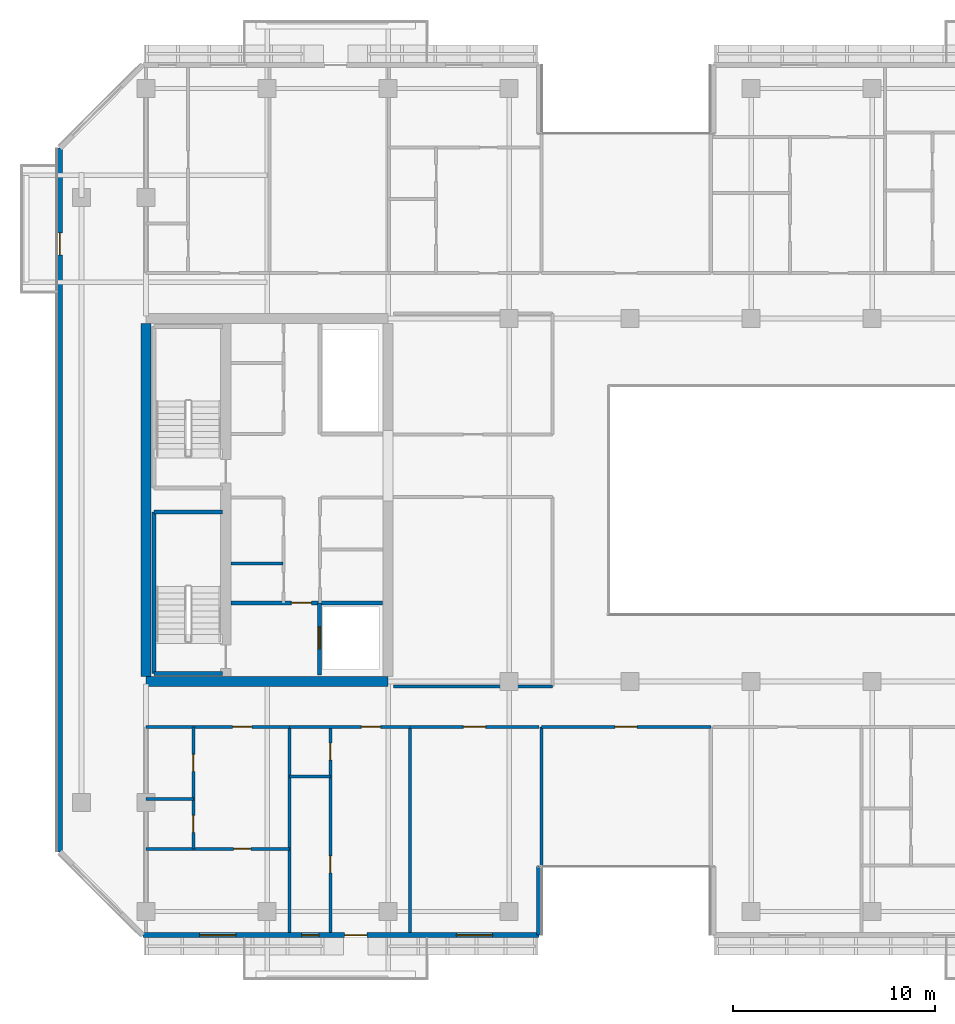
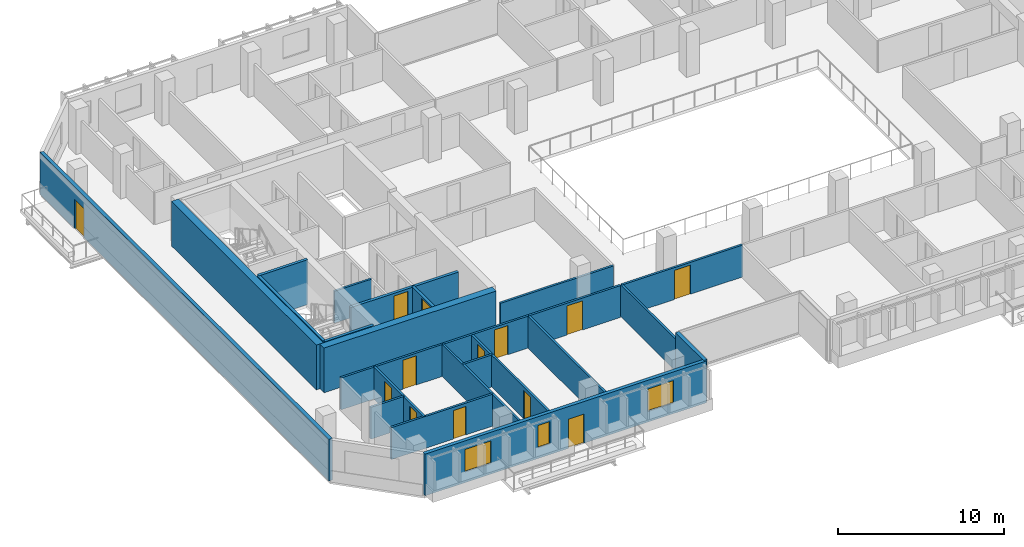
# One storey, part 9 of 21: 24 walls, 13 doors, 3 windows, 16 openings.
"""IFC4 building model written with IfcOpenShell, lengths in metres."""

from ifc_helpers import new_model, si_unit, direction, frame, frame_2d, origin, place, context, subcontext, project, spatial, rectangle, extrude, material, layer, layer_set, type_object, element, fill, save


model = new_model("IFC4")

# Units and contexts
model_context = context("Model", 3, precision=1e-05, world=origin(), true_north=direction((0.0, 1.0)))
body_context = subcontext(model_context, "Body", "Model", "MODEL_VIEW")
ifc_project = project(units=[si_unit("LENGTHUNIT", "METRE"), si_unit("AREAUNIT", "SQUARE_METRE"), si_unit("VOLUMEUNIT", "CUBIC_METRE"), si_unit("PLANEANGLEUNIT", "RADIAN"), si_unit("MASSUNIT", "GRAM", prefix="KILO")], contexts=[model_context])

# Site, building, storey
site_placement = place(None, origin())
site = spatial("IfcSite", under=ifc_project, at=site_placement, CompositionType="ELEMENT")
building_placement = place(site_placement, origin())
building = spatial("IfcBuilding", under=site, at=building_placement, Name="Tanjung Sevakor Pilgrim Tower", CompositionType="ELEMENT")
storey_placement = place(building_placement, frame((0.0, 0.0, 145.199951171875)))
storey = spatial("IfcBuildingStorey", under=building, at=storey_placement, Name="L40", CompositionType="ELEMENT", Elevation=145.199951171875)

# Walls
ifc_material_1 = material(Name="Concrete C60/75", Category="concrete")
ifc_layer_1 = layer(ifc_material_1, 0.5)
ifc_layer_set_1 = layer_set([ifc_layer_1], Name="WALL-CW-500")
wall_type_1 = type_object("IfcWallType", Name="WALL-CW-500", PredefinedType="SHEAR", material=ifc_layer_set_1)
wall_1_placement = place(storey_placement, frame((24.0, 24.60009765625, 0.0), z_axis=(0.0, 0.0, 1.0), x_axis=(1.0, 0.0, 0.0)))
element("IfcWall", 1, at=wall_1_placement, inside=storey, type_object=wall_type_1, Name="L40 W Core South Shear Wall", PredefinedType="SHEAR", context=body_context, shape_type="SweptSolid", body=[
    extrude(rectangle(XDim=12.0, YDim=0.5, at=frame_2d((6.0, 0.0))), origin(), (0.0, 0.0, 1.0), 3.300048828125),
])
wall_2_placement = place(storey_placement, frame((24.0, 24.85009765625, 0.0), z_axis=(0.0, 0.0, 1.0), x_axis=(0.0, 1.0, 0.0)))
element("IfcWall", 2, at=wall_2_placement, inside=storey, type_object=wall_type_1, Name="L40 W Core Outer Shear Wall", PredefinedType="SHEAR", context=body_context, shape_type="SweptSolid", body=[
    extrude(rectangle(XDim=17.5, YDim=0.5, at=frame_2d((8.75, 0.0))), origin(), (0.0, 0.0, 1.0), 3.300048828125),
])
ifc_material_2 = material(Name="Concrete C40/50", Category="concrete")
ifc_layer_2 = layer(ifc_material_2, 0.14990234375)
ifc_layer_set_2 = layer_set([ifc_layer_2], Name="WT-COMP-150")
wall_type_2 = type_object("IfcWallType", Name="WT-COMP-150", PredefinedType="SOLIDWALL", material=ifc_layer_set_2)
wall_3_placement = place(storey_placement, frame((28.219970703125, 30.449951171875, 0.0), z_axis=(0.0, 0.0, 1.0), x_axis=(1.0, 0.0, 0.0)))
element("IfcWall", 3, at=wall_3_placement, inside=storey, type_object=wall_type_2, Name="L40 Partition IW-L40-003", PredefinedType="SOLIDWALL", context=body_context, shape_type="SweptSolid", body=[
    extrude(rectangle(XDim=2.580078125, YDim=0.14990234375, at=frame_2d((1.2900390625, 0.0))), origin(), (0.0, 0.0, 1.0), 2.35009765625),
])
wall_4_placement = place(storey_placement, frame((36.27001953125, 24.35009765625, 0.0), z_axis=(0.0, 0.0, 1.0), x_axis=(1.0, 0.0, 0.0)))
element("IfcWall", 4, at=wall_4_placement, inside=storey, type_object=wall_type_2, Name="L40 Partition IW-L40-027", PredefinedType="SOLIDWALL", context=body_context, shape_type="SweptSolid", body=[
    extrude(rectangle(XDim=7.8798828125, YDim=0.14990234375, at=frame_2d((3.93994140625, 0.0))), origin(), (0.0, 0.0, 1.0), 2.35009765625),
])

# Wall, opening, door
wall_5_placement = place(storey_placement, frame((43.60009765625, 22.35009765625, 0.0), z_axis=(0.0, 0.0, 1.0), x_axis=(1.0, 0.0, 0.0)))
wall_5 = element("IfcWall", 5, at=wall_5_placement, inside=storey, type_object=wall_type_2, Name="L40 Partition IW-L40-039", PredefinedType="SOLIDWALL", context=body_context, shape_type="SweptSolid", body=[
    extrude(rectangle(XDim=8.39990234375, YDim=0.14990234375, at=frame_2d((4.199951171875, 0.0))), origin(), (0.0, 0.0, 1.0), 2.35009765625),
])
opening_1_placement = place(wall_5_placement, frame((3.64990234375, 0.0, 0.0)))
opening_1 = element("IfcOpeningElement", 6, at=opening_1_placement, cuts=wall_5, Name="Opening ID-RM2", PredefinedType="OPENING", context=body_context, shape_type="SweptSolid", body=[
    extrude(rectangle(XDim=1.10009765625, YDim=2.14990234375, at=frame_2d((0.550048828125, 1.074951171875))), frame((0.0, 0.0849609375, 0.0), z_axis=(0.0, -1.0, 0.0), x_axis=(1.0, 0.0, 0.0)), (0.0, 0.0, 1.0), 0.169921875),
])
ifc_material_3 = material(Name="Hardwood Timber", Category="wood")
door_type_1 = type_object("IfcDoorType", Name="DT-INT-1100", OperationType="NOTDEFINED", PredefinedType="DOOR", material=ifc_material_3)
door_1_placement = place(opening_1_placement, origin())
door_1 = element("IfcDoor", 7, at=door_1_placement, inside=storey, type_object=door_type_1, Name="L40 South Cleft Communal Lounge Door", OperationType="SINGLE_SWING_LEFT", OverallHeight=2.14990234375, OverallWidth=1.10009765625, PredefinedType="DOOR", context=body_context, shape_type="SweptSolid", body=[
    extrude(rectangle(XDim=1.10009765625, YDim=2.14990234375, at=frame_2d((0.550048828125, 1.074951171875))), frame((0.0, 0.02490234375, 0.0), z_axis=(0.0, -1.0, 0.0), x_axis=(1.0, 0.0, 0.0)), (0.0, 0.0, 1.0), 0.050048828125),
])
fill(opening_1, door_1)

# Walls
for number, where, z_axis, x_axis, name in (
    (8, (43.60009765625, 12.14990234375, 0.0), (0.0, 0.0, 1.0), (0.0, 1.0, 0.0), "L40 Partition IW-L40-040"),
    (9, (31.11181640625, 12.14990234375, 0.0), (0.0, 0.0, 1.0), (0.0, 1.0, 0.0), "L40 Partition IW-L40-046"),
):
    element("IfcWall", number, at=place(storey_placement, frame(where, z_axis=z_axis, x_axis=x_axis)), inside=storey, type_object=wall_type_2, Name=name, PredefinedType="SOLIDWALL", context=body_context, shape_type="SweptSolid", body=[
        extrude(rectangle(XDim=10.2001953125, YDim=0.14990234375, at=frame_2d((5.10009765625, 0.0))), origin(), (0.0, 0.0, 1.0), 2.35009765625),
    ])

# Wall, opening, door
wall_6_placement = place(storey_placement, frame((24.0, 22.35009765625, 0.0), z_axis=(0.0, 0.0, 1.0), x_axis=(1.0, 0.0, 0.0)))
wall_6 = element("IfcWall", 10, at=wall_6_placement, inside=storey, type_object=wall_type_2, Name="L40 Partition IW-L40-050", PredefinedType="SOLIDWALL", context=body_context, shape_type="SweptSolid", body=[
    extrude(rectangle(XDim=7.11181640625, YDim=0.14990234375, at=frame_2d((3.555908203125, 0.0))), origin(), (0.0, 0.0, 1.0), 2.35009765625),
])
opening_2_placement = place(wall_6_placement, frame((4.2958984375, 0.0, 0.0)))
opening_2 = element("IfcOpeningElement", 11, at=opening_2_placement, cuts=wall_6, Name="Opening ID-FD2", PredefinedType="OPENING", context=body_context, shape_type="SweptSolid", body=[
    extrude(rectangle(XDim=0.949951171875, YDim=2.14990234375, at=frame_2d((0.47509765625, 1.074951171875))), frame((0.0, 0.0849609375, 0.0), z_axis=(0.0, -1.0, 0.0), x_axis=(1.0, 0.0, 0.0)), (0.0, 0.0, 1.0), 0.169921875),
])
ifc_material_4 = material(Name="Fire-Rated Timber", Category="wood")
door_type_2 = type_object("IfcDoorType", Name="DT-FIRE-950", OperationType="NOTDEFINED", PredefinedType="DOOR", material=ifc_material_4)
door_2_placement = place(opening_2_placement, origin())
door_2 = element("IfcDoor", 12, at=door_2_placement, inside=storey, type_object=door_type_2, Name="Residence Entrance", OperationType="SINGLE_SWING_RIGHT", OverallHeight=2.14990234375, OverallWidth=0.949951171875, PredefinedType="DOOR", context=body_context, shape_type="SweptSolid", body=[
    extrude(rectangle(XDim=0.949951171875, YDim=2.14990234375, at=frame_2d((0.47509765625, 1.074951171875))), frame((0.0, 0.02490234375, 0.0), z_axis=(0.0, -1.0, 0.0), x_axis=(1.0, 0.0, 0.0)), (0.0, 0.0, 1.0), 0.050048828125),
])
fill(opening_2, door_2)

# Wall
wall_7_placement = place(storey_placement, frame((37.089599609375, 12.14990234375, 0.0), z_axis=(0.0, 0.0, 1.0), x_axis=(0.0, 1.0, 0.0)))
element("IfcWall", 13, at=wall_7_placement, inside=storey, type_object=wall_type_2, Name="L40 Partition IW-L40-051", PredefinedType="SOLIDWALL", context=body_context, shape_type="SweptSolid", body=[
    extrude(rectangle(XDim=10.2001953125, YDim=0.14990234375, at=frame_2d((5.10009765625, 0.0))), origin(), (0.0, 0.0, 1.0), 2.35009765625),
])

# Wall, opening, door
wall_8_placement = place(storey_placement, frame((31.11181640625, 22.35009765625, 0.0), z_axis=(0.0, 0.0, 1.0), x_axis=(1.0, 0.0, 0.0)))
wall_8 = element("IfcWall", 14, at=wall_8_placement, inside=storey, type_object=wall_type_2, Name="L40 Partition IW-L40-054", PredefinedType="SOLIDWALL", context=body_context, shape_type="SweptSolid", body=[
    extrude(rectangle(XDim=5.977783203125, YDim=0.14990234375, at=frame_2d((2.98876953125, 0.0))), origin(), (0.0, 0.0, 1.0), 2.35009765625),
])
opening_3_placement = place(wall_8_placement, frame((3.5703125, 0.0, 0.0)))
opening_3 = element("IfcOpeningElement", 15, at=opening_3_placement, cuts=wall_8, Name="Opening ID-FD2", PredefinedType="OPENING", context=body_context, shape_type="SweptSolid", body=[
    extrude(rectangle(XDim=0.949951171875, YDim=2.14990234375, at=frame_2d((0.47509765625, 1.074951171875))), frame((0.0, 0.0849609375, 0.0), z_axis=(0.0, -1.0, 0.0), x_axis=(1.0, 0.0, 0.0)), (0.0, 0.0, 1.0), 0.169921875),
])
door_3_placement = place(opening_3_placement, origin())
door_3 = element("IfcDoor", 16, at=door_3_placement, inside=storey, type_object=door_type_2, Name="Hotel Guestroom Entrance", OperationType="SINGLE_SWING_LEFT", OverallHeight=2.14990234375, OverallWidth=0.949951171875, PredefinedType="DOOR", context=body_context, shape_type="SweptSolid", body=[
    extrude(rectangle(XDim=0.949951171875, YDim=2.14990234375, at=frame_2d((0.47509765625, 1.074951171875))), frame((0.0, 0.02490234375, 0.0), z_axis=(0.0, -1.0, 0.0), x_axis=(1.0, 0.0, 0.0)), (0.0, 0.0, 1.0), 0.050048828125),
])
fill(opening_3, door_3)

wall_9_placement = place(storey_placement, frame((37.089599609375, 22.35009765625, 0.0), z_axis=(0.0, 0.0, 1.0), x_axis=(1.0, 0.0, 0.0)))
wall_9 = element("IfcWall", 17, at=wall_9_placement, inside=storey, type_object=wall_type_2, Name="L40 Partition IW-L40-055", PredefinedType="SOLIDWALL", context=body_context, shape_type="SweptSolid", body=[
    extrude(rectangle(XDim=6.390380859375, YDim=0.14990234375, at=frame_2d((3.1953125, 0.0))), origin(), (0.0, 0.0, 1.0), 2.35009765625),
])
opening_4_placement = place(wall_9_placement, frame((2.64501953125, 0.0, 0.0)))
opening_4 = element("IfcOpeningElement", 18, at=opening_4_placement, cuts=wall_9, Name="Opening ID-FD0", PredefinedType="OPENING", context=body_context, shape_type="SweptSolid", body=[
    extrude(rectangle(XDim=1.10009765625, YDim=2.14990234375, at=frame_2d((0.550048828125, 1.074951171875))), frame((0.0, 0.0849609375, 0.0), z_axis=(0.0, -1.0, 0.0), x_axis=(1.0, 0.0, 0.0)), (0.0, 0.0, 1.0), 0.169921875),
])
ifc_material_5 = material(Name="Fire-Rated Steel S355J2", Category="steel")
door_type_3 = type_object("IfcDoorType", Name="DT-FIRE-1100", OperationType="NOTDEFINED", PredefinedType="DOOR", material=ifc_material_5)
door_4_placement = place(opening_4_placement, origin())
door_4 = element("IfcDoor", 19, at=door_4_placement, inside=storey, type_object=door_type_3, Name="Communal Lounge Door", OperationType="SINGLE_SWING_RIGHT", OverallHeight=2.14990234375, OverallWidth=1.10009765625, PredefinedType="DOOR", context=body_context, shape_type="SweptSolid", body=[
    extrude(rectangle(XDim=1.10009765625, YDim=2.14990234375, at=frame_2d((0.550048828125, 1.074951171875))), frame((0.0, 0.02490234375, 0.0), z_axis=(0.0, -1.0, 0.0), x_axis=(1.0, 0.0, 0.0)), (0.0, 0.0, 1.0), 0.050048828125),
])
fill(opening_4, door_4)

# Wall, openings, door, windows
ifc_material_6 = material(Name="Precast concrete C45/55", Category="concrete")
ifc_layer_3 = layer(ifc_material_6, 0.25)
ifc_layer_set_3 = layer_set([ifc_layer_3], Name="WT-EW-STN3")
wall_type_3 = type_object("IfcWallType", Name="WT-EW-STN3", PredefinedType="SOLIDWALL", material=ifc_layer_set_3)
wall_10_placement = place(storey_placement, frame((23.851806640625, 12.02490234375, 0.0), z_axis=(0.0, 0.0, 1.0), x_axis=(1.0, 0.0, 0.0)))
wall_10 = element("IfcWall", 20, at=wall_10_placement, inside=storey, type_object=wall_type_3, Name="L40 MAIN Exterior Wall 1", PredefinedType="SOLIDWALL", context=body_context, shape_type="SweptSolid", body=[
    extrude(rectangle(XDim=19.623291015625, YDim=0.25, at=frame_2d((9.8115234375, 0.0))), origin(), (0.0, 0.0, 1.0), 3.080078125),
])
opening_5_placement = place(wall_10_placement, frame((9.998291015625, 0.0, 0.0)))
opening_5 = element("IfcOpeningElement", 21, at=opening_5_placement, cuts=wall_10, Name="Opening ED-BAL-1100", PredefinedType="OPENING", context=body_context, shape_type="SweptSolid", body=[
    extrude(rectangle(XDim=1.10009765625, YDim=2.14990234375, at=frame_2d((0.550048828125, 1.074951171875))), frame((0.0, 0.135009765625, 0.0), z_axis=(0.0, -1.0, 0.0), x_axis=(1.0, 0.0, 0.0)), (0.0, 0.0, 1.0), 0.27001953125),
])
opening_6_placement = place(wall_10_placement, frame((2.803955078125, 0.0, 0.780029296875)))
opening_6 = element("IfcOpeningElement", 22, at=opening_6_placement, cuts=wall_10, Name="Opening WN-Z3-1660", PredefinedType="OPENING", context=body_context, shape_type="SweptSolid", body=[
    extrude(rectangle(XDim=1.800048828125, YDim=1.659912109375, at=frame_2d((0.89990234375, 0.830078125))), frame((0.0, 0.135009765625, 0.0), z_axis=(0.0, -1.0, 0.0), x_axis=(1.0, 0.0, 0.0)), (0.0, 0.0, 1.0), 0.27001953125),
])
opening_7_placement = place(wall_10_placement, frame((7.861083984375, 0.0, 0.780029296875)))
opening_7 = element("IfcOpeningElement", 23, at=opening_7_placement, cuts=wall_10, Name="Opening WN-SLM", PredefinedType="OPENING", context=body_context, shape_type="SweptSolid", body=[
    extrude(rectangle(XDim=0.85009765625, YDim=1.64990234375, at=frame_2d((0.425048828125, 0.824951171875))), frame((0.0, 0.135009765625, 0.0), z_axis=(0.0, -1.0, 0.0), x_axis=(1.0, 0.0, 0.0)), (0.0, 0.0, 1.0), 0.27001953125),
])
opening_8_placement = place(wall_10_placement, frame((15.532958984375, 0.0, 0.780029296875)))
opening_8 = element("IfcOpeningElement", 24, at=opening_8_placement, cuts=wall_10, Name="Opening WN-Z3-1660", PredefinedType="OPENING", context=body_context, shape_type="SweptSolid", body=[
    extrude(rectangle(XDim=1.800048828125, YDim=1.659912109375, at=frame_2d((0.89990234375, 0.830078125))), frame((0.0, 0.135009765625, 0.0), z_axis=(0.0, -1.0, 0.0), x_axis=(1.0, 0.0, 0.0)), (0.0, 0.0, 1.0), 0.27001953125),
])
ifc_material_7 = material(Name="Anodised Aluminium and Laminated Glass", Category="aluminium")
door_type_4 = type_object("IfcDoorType", Name="DTYP-ED-BAL-1100", OperationType="NOTDEFINED", PredefinedType="DOOR", material=ifc_material_7)
door_5_placement = place(opening_5_placement, frame((1.10009765625, 0.0, 0.0), z_axis=(0.0, 0.0, 1.0), x_axis=(-1.0, 0.0, 0.0)))
door_5 = element("IfcDoor", 25, at=door_5_placement, inside=storey, type_object=door_type_4, Name="L40 Balcony Door MAIN-S1", OperationType="SINGLE_SWING_RIGHT", OverallHeight=2.14990234375, OverallWidth=1.10009765625, PredefinedType="DOOR", context=body_context, shape_type="SweptSolid", body=[
    extrude(rectangle(XDim=1.10009765625, YDim=2.14990234375, at=frame_2d((0.550048828125, 1.074951171875))), frame((0.0, 0.02490234375, 0.0), z_axis=(0.0, -1.0, 0.0), x_axis=(1.0, 0.0, 0.0)), (0.0, 0.0, 1.0), 0.050048828125),
])
fill(opening_5, door_5)
ifc_material_8 = material(Name="Thermally Broken Aluminium and Low-E Glass", Category="aluminium")
window_type_1 = type_object("IfcWindowType", Name="WTYP-WN-SLM", PartitioningType="SINGLE_PANEL", PredefinedType="WINDOW", material=ifc_material_8)
window_1_placement = place(opening_7_placement, origin())
window_1 = element("IfcWindow", 26, at=window_1_placement, inside=storey, type_object=window_type_1, Name="L40 Facade Window 02", OverallHeight=1.64990234375, OverallWidth=0.85009765625, PartitioningType="SINGLE_PANEL", PredefinedType="WINDOW", context=body_context, shape_type="SweptSolid", body=[
    extrude(rectangle(XDim=0.85009765625, YDim=1.64990234375, at=frame_2d((0.425048828125, 0.824951171875))), frame((0.0, 0.030029296875, 0.0), z_axis=(0.0, -1.0, 0.0), x_axis=(1.0, 0.0, 0.0)), (0.0, 0.0, 1.0), 0.06005859375),
])
fill(opening_7, window_1)
ifc_material_9 = material(Name="Thermally Broken Aluminium and Low-E Glass", Category="aluminium")
window_type_2 = type_object("IfcWindowType", Name="WTYP-WN-Z3-1660", PartitioningType="DOUBLE_PANEL_VERTICAL", PredefinedType="WINDOW", material=ifc_material_9)
window_2_placement = place(opening_6_placement, origin())
window_2 = element("IfcWindow", 27, at=window_2_placement, inside=storey, type_object=window_type_2, Name="L40 Facade Window 01", OverallHeight=1.659912109375, OverallWidth=1.800048828125, PartitioningType="SINGLE_PANEL", PredefinedType="WINDOW", context=body_context, shape_type="SweptSolid", body=[
    extrude(rectangle(XDim=1.800048828125, YDim=1.659912109375, at=frame_2d((0.89990234375, 0.830078125))), frame((0.0, 0.030029296875, 0.0), z_axis=(0.0, -1.0, 0.0), x_axis=(1.0, 0.0, 0.0)), (0.0, 0.0, 1.0), 0.06005859375),
])
fill(opening_6, window_2)
window_3_placement = place(opening_8_placement, origin())
window_3 = element("IfcWindow", 28, at=window_3_placement, inside=storey, type_object=window_type_2, Name="L40 Facade Window 03", OverallHeight=1.659912109375, OverallWidth=1.800048828125, PartitioningType="SINGLE_PANEL", PredefinedType="WINDOW", context=body_context, shape_type="SweptSolid", body=[
    extrude(rectangle(XDim=1.800048828125, YDim=1.659912109375, at=frame_2d((0.89990234375, 0.830078125))), frame((0.0, 0.030029296875, 0.0), z_axis=(0.0, -1.0, 0.0), x_axis=(1.0, 0.0, 0.0)), (0.0, 0.0, 1.0), 0.06005859375),
])
fill(opening_8, window_3)

# Wall
wall_11_placement = place(storey_placement, frame((43.47509765625, 12.02490234375, 0.0), z_axis=(0.0, 0.0, 1.0), x_axis=(0.0, 1.0, 0.0)))
element("IfcWall", 29, at=wall_11_placement, inside=storey, type_object=wall_type_3, Name="L40 MAIN Exterior Wall 2", PredefinedType="SOLIDWALL", context=body_context, shape_type="SweptSolid", body=[
    extrude(rectangle(XDim=3.400146484375, YDim=0.25, at=frame_2d((1.7001953125, 0.0))), origin(), (0.0, 0.0, 1.0), 3.080078125),
])

# Wall, opening, door
wall_12_placement = place(storey_placement, frame((19.72509765625, 51.048095703125, 0.0), z_axis=(0.0, 0.0, 1.0), x_axis=(0.0, -1.0, 0.0)))
wall_12 = element("IfcWall", 30, at=wall_12_placement, inside=storey, type_object=wall_type_3, Name="L40 MAIN Exterior Wall 15", PredefinedType="SOLIDWALL", context=body_context, shape_type="SweptSolid", body=[
    extrude(rectangle(XDim=34.896240234375, YDim=0.25, at=frame_2d((17.4482421875, 0.0))), origin(), (0.0, 0.0, 1.0), 3.080078125),
])
opening_9_placement = place(wall_12_placement, frame((4.1982421875, 0.0, 0.0)))
opening_9 = element("IfcOpeningElement", 31, at=opening_9_placement, cuts=wall_12, Name="Opening ED-BAL-1100", PredefinedType="OPENING", context=body_context, shape_type="SweptSolid", body=[
    extrude(rectangle(XDim=1.10009765625, YDim=2.14990234375, at=frame_2d((0.550048828125, 1.074951171875))), frame((0.0, 0.135009765625, 0.0), z_axis=(0.0, -1.0, 0.0), x_axis=(1.0, 0.0, 0.0)), (0.0, 0.0, 1.0), 0.27001953125),
])
door_6_placement = place(opening_9_placement, frame((1.10009765625, 0.0, 0.0), z_axis=(0.0, 0.0, 1.0), x_axis=(-1.0, 0.0, 0.0)))
door_6 = element("IfcDoor", 32, at=door_6_placement, inside=storey, type_object=door_type_4, Name="L40 West Loggia Door MAIN-W1", OperationType="SINGLE_SWING_LEFT", OverallHeight=2.14990234375, OverallWidth=1.10009765625, PredefinedType="DOOR", context=body_context, shape_type="SweptSolid", body=[
    extrude(rectangle(XDim=1.10009765625, YDim=2.14990234375, at=frame_2d((0.550048828125, 1.074951171875))), frame((0.0, 0.02490234375, 0.0), z_axis=(0.0, -1.0, 0.0), x_axis=(1.0, 0.0, 0.0)), (0.0, 0.0, 1.0), 0.050048828125),
])
fill(opening_9, door_6)

# Walls
ifc_material_10 = material(Name="Concrete C40/50", Category="concrete")
ifc_layer_4 = layer(ifc_material_10, 0.199951171875)
ifc_layer_set_4 = layer_set([ifc_layer_4], Name="WT-FIRE-200")
wall_type_4 = type_object("IfcWallType", Name="WT-FIRE-200", PredefinedType="SOLIDWALL", material=ifc_layer_set_4)
for number, where, z_axis, x_axis, name in (
    (33, (24.39990234375, 25.0, 0.0), (0.0, 0.0, 1.0), (1.0, 0.0, 0.0), "L40 TS-W1 Shaft Wall 1"),
    (34, (27.800048828125, 33.0, 0.0), (0.0, 0.0, 1.0), (-1.0, 0.0, 0.0), "L40 TS-W1 Shaft Wall 2"),
):
    element("IfcWall", number, at=place(storey_placement, frame(where, z_axis=z_axis, x_axis=x_axis)), inside=storey, type_object=wall_type_4, Name=name, PredefinedType="SOLIDWALL", context=body_context, shape_type="SweptSolid", body=[
        extrude(rectangle(XDim=3.400146484375, YDim=0.199951171875, at=frame_2d((1.7001953125, 0.0))), origin(), (0.0, 0.0, 1.0), 3.300048828125),
    ])
wall_13_placement = place(storey_placement, frame((24.39990234375, 33.0, 0.0), z_axis=(0.0, 0.0, 1.0), x_axis=(0.0, -1.0, 0.0)))
element("IfcWall", 35, at=wall_13_placement, inside=storey, type_object=wall_type_4, Name="L40 TS-W1 Shaft Wall 3", PredefinedType="SOLIDWALL", context=body_context, shape_type="SweptSolid", body=[
    extrude(rectangle(XDim=8.0, YDim=0.199951171875, at=frame_2d((4.0, 0.0))), origin(), (0.0, 0.0, 1.0), 3.300048828125),
])

# Wall, opening, door
ifc_material_11 = material(Name="Concrete C40/50", Category="concrete")
ifc_layer_5 = layer(ifc_material_11, 0.199951171875)
ifc_layer_set_5 = layer_set([ifc_layer_5], Name="WT-FPRT-200")
wall_type_5 = type_object("IfcWallType", Name="WT-FPRT-200", PredefinedType="SOLIDWALL", material=ifc_layer_set_5)
wall_14_placement = place(storey_placement, frame((32.60009765625, 24.919921875, 0.0), z_axis=(0.0, 0.0, 1.0), x_axis=(0.0, 1.0, 0.0)))
wall_14 = element("IfcWall", 36, at=wall_14_placement, inside=storey, type_object=wall_type_5, Name="L40 Partition IW-L40-001", PredefinedType="SOLIDWALL", context=body_context, shape_type="SweptSolid", body=[
    extrude(rectangle(XDim=3.580078125, YDim=0.199951171875, at=frame_2d((1.7900390625, 0.0))), origin(), (0.0, 0.0, 1.0), 2.35009765625),
])
opening_10_placement = place(wall_14_placement, frame((1.300048828125, 0.0, 0.0)))
opening_10 = element("IfcOpeningElement", 37, at=opening_10_placement, cuts=wall_14, Name="Opening LD-1100", PredefinedType="OPENING", context=body_context, shape_type="SweptSolid", body=[
    extrude(rectangle(XDim=1.10009765625, YDim=2.199951171875, at=frame_2d((0.550048828125, 1.10009765625))), frame((0.0, 0.10986328125, 0.0), z_axis=(0.0, -1.0, 0.0), x_axis=(1.0, 0.0, 0.0)), (0.0, 0.0, 1.0), 0.219970703125),
])
ifc_material_12 = material(Name="Brushed Stainless Steel S355J2", Category="steel")
door_type_5 = type_object("IfcDoorType", Name="DT-LIFT-1100", OperationType="SLIDING_TO_LEFT", PredefinedType="DOOR", material=ifc_material_12)
door_7_placement = place(opening_10_placement, origin())
door_7 = element("IfcDoor", 38, at=door_7_placement, inside=storey, type_object=door_type_5, Name="LD-FL-W", OperationType="SLIDING_TO_LEFT", OverallHeight=2.199951171875, OverallWidth=1.10009765625, PredefinedType="DOOR", context=body_context, shape_type="SweptSolid", body=[
    extrude(rectangle(XDim=1.10009765625, YDim=2.199951171875, at=frame_2d((0.550048828125, 1.10009765625))), frame((0.0, 0.02490234375, 0.0), z_axis=(0.0, -1.0, 0.0), x_axis=(1.0, 0.0, 0.0)), (0.0, 0.0, 1.0), 0.050048828125),
])
fill(opening_10, door_7)

wall_15_placement = place(storey_placement, frame((28.219970703125, 28.5, 0.0), z_axis=(0.0, 0.0, 1.0), x_axis=(1.0, 0.0, 0.0)))
wall_15 = element("IfcWall", 39, at=wall_15_placement, inside=storey, type_object=wall_type_5, Name="L40 Partition IW-L40-002", PredefinedType="SOLIDWALL", context=body_context, shape_type="SweptSolid", body=[
    extrude(rectangle(XDim=7.510009765625, YDim=0.199951171875, at=frame_2d((3.7548828125, 0.0))), origin(), (0.0, 0.0, 1.0), 2.35009765625),
])
opening_11_placement = place(wall_15_placement, frame((2.97998046875, 0.0, 0.0)))
opening_11 = element("IfcOpeningElement", 40, at=opening_11_placement, cuts=wall_15, Name="Opening ID-FD1", PredefinedType="OPENING", context=body_context, shape_type="SweptSolid", body=[
    extrude(rectangle(XDim=1.0, YDim=2.14990234375, at=frame_2d((0.5, 1.074951171875))), frame((0.0, 0.10986328125, 0.0), z_axis=(0.0, -1.0, 0.0), x_axis=(1.0, 0.0, 0.0)), (0.0, 0.0, 1.0), 0.219970703125),
])
ifc_material_13 = material(Name="Fire-Rated Steel S355J2", Category="steel")
door_type_6 = type_object("IfcDoorType", Name="DT-FIRE-1000", OperationType="NOTDEFINED", PredefinedType="DOOR", material=ifc_material_13)
door_8_placement = place(opening_11_placement, origin())
door_8 = element("IfcDoor", 41, at=door_8_placement, inside=storey, type_object=door_type_6, Name="Fire Lobby Door W", OperationType="SINGLE_SWING_RIGHT", OverallHeight=2.14990234375, OverallWidth=1.0, PredefinedType="DOOR", context=body_context, shape_type="SweptSolid", body=[
    extrude(rectangle(XDim=1.0, YDim=2.14990234375, at=frame_2d((0.5, 1.074951171875))), frame((0.0, 0.02490234375, 0.0), z_axis=(0.0, -1.0, 0.0), x_axis=(1.0, 0.0, 0.0)), (0.0, 0.0, 1.0), 0.050048828125),
])
fill(opening_11, door_8)

# Wall
ifc_material_14 = material(Name="Gypsum Board Partition", Category="gypsum board")
ifc_layer_6 = layer(ifc_material_14, 0.14990234375)
ifc_layer_set_6 = layer_set([ifc_layer_6], Name="WT-PART-150")
wall_type_6 = type_object("IfcWallType", Name="WT-PART-150", PredefinedType="PARTITIONING", material=ifc_layer_set_6)
wall_16_placement = place(storey_placement, frame((24.0, 18.779296875, 0.0), z_axis=(0.0, 0.0, 1.0), x_axis=(1.0, 0.0, 0.0)))
element("IfcWall", 42, at=wall_16_placement, inside=storey, type_object=wall_type_6, Name="L40 Partition IW-L40-047", PredefinedType="PARTITIONING", context=body_context, shape_type="SweptSolid", body=[
    extrude(rectangle(XDim=2.35009765625, YDim=0.14990234375, at=frame_2d((1.175048828125, 0.0))), origin(), (0.0, 0.0, 1.0), 2.35009765625),
])

# Wall, openings, doors
wall_17_placement = place(storey_placement, frame((26.35009765625, 16.298095703125, 0.0), z_axis=(0.0, 0.0, 1.0), x_axis=(0.0, 1.0, 0.0)))
wall_17 = element("IfcWall", 43, at=wall_17_placement, inside=storey, type_object=wall_type_6, Name="L40 Partition IW-L40-048", PredefinedType="PARTITIONING", context=body_context, shape_type="SweptSolid", body=[
    extrude(rectangle(XDim=6.052001953125, YDim=0.14990234375, at=frame_2d((3.02587890625, 0.0))), origin(), (0.0, 0.0, 1.0), 2.35009765625),
])
opening_12_placement = place(wall_17_placement, frame((0.815673828125, 0.0, 0.0)))
opening_12 = element("IfcOpeningElement", 44, at=opening_12_placement, cuts=wall_17, Name="Opening ID-WC1", PredefinedType="OPENING", context=body_context, shape_type="SweptSolid", body=[
    extrude(rectangle(XDim=0.85009765625, YDim=2.10009765625, at=frame_2d((0.425048828125, 1.050048828125))), frame((0.0, 0.0849609375, 0.0), z_axis=(0.0, -1.0, 0.0), x_axis=(1.0, 0.0, 0.0)), (0.0, 0.0, 1.0), 0.169921875),
])
opening_13_placement = place(wall_17_placement, frame((3.841552734375, 0.0, 0.0)))
opening_13 = element("IfcOpeningElement", 45, at=opening_13_placement, cuts=wall_17, Name="Opening ID-WC1", PredefinedType="OPENING", context=body_context, shape_type="SweptSolid", body=[
    extrude(rectangle(XDim=0.85009765625, YDim=2.10009765625, at=frame_2d((0.425048828125, 1.050048828125))), frame((0.0, 0.0849609375, 0.0), z_axis=(0.0, -1.0, 0.0), x_axis=(1.0, 0.0, 0.0)), (0.0, 0.0, 1.0), 0.169921875),
])
ifc_material_15 = material(Name="Moisture-Resistant Timber", Category="wood")
door_type_7 = type_object("IfcDoorType", Name="DT-INT-850", OperationType="NOTDEFINED", PredefinedType="DOOR", material=ifc_material_15)
door_9_placement = place(opening_12_placement, origin())
door_9 = element("IfcDoor", 46, at=door_9_placement, inside=storey, type_object=door_type_7, Name="Residence Bathroom Door", OperationType="SINGLE_SWING_LEFT", OverallHeight=2.10009765625, OverallWidth=0.85009765625, PredefinedType="DOOR", context=body_context, shape_type="SweptSolid", body=[
    extrude(rectangle(XDim=0.85009765625, YDim=2.10009765625, at=frame_2d((0.425048828125, 1.050048828125))), frame((0.0, 0.02490234375, 0.0), z_axis=(0.0, -1.0, 0.0), x_axis=(1.0, 0.0, 0.0)), (0.0, 0.0, 1.0), 0.050048828125),
])
fill(opening_12, door_9)
door_10_placement = place(opening_13_placement, origin())
door_10 = element("IfcDoor", 47, at=door_10_placement, inside=storey, type_object=door_type_7, Name="Residence Kitchenette Door", OperationType="SINGLE_SWING_RIGHT", OverallHeight=2.10009765625, OverallWidth=0.85009765625, PredefinedType="DOOR", context=body_context, shape_type="SweptSolid", body=[
    extrude(rectangle(XDim=0.85009765625, YDim=2.10009765625, at=frame_2d((0.425048828125, 1.050048828125))), frame((0.0, 0.02490234375, 0.0), z_axis=(0.0, -1.0, 0.0), x_axis=(1.0, 0.0, 0.0)), (0.0, 0.0, 1.0), 0.050048828125),
])
fill(opening_13, door_10)

# Wall, opening, door
wall_18_placement = place(storey_placement, frame((24.0, 16.298095703125, 0.0), z_axis=(0.0, 0.0, 1.0), x_axis=(1.0, 0.0, 0.0)))
wall_18 = element("IfcWall", 48, at=wall_18_placement, inside=storey, type_object=wall_type_6, Name="L40 Partition IW-L40-049", PredefinedType="PARTITIONING", context=body_context, shape_type="SweptSolid", body=[
    extrude(rectangle(XDim=7.11181640625, YDim=0.14990234375, at=frame_2d((3.555908203125, 0.0))), origin(), (0.0, 0.0, 1.0), 2.35009765625),
])
opening_14_placement = place(wall_18_placement, frame((4.345947265625, 0.0, 0.0)))
opening_14 = element("IfcOpeningElement", 49, at=opening_14_placement, cuts=wall_18, Name="Opening ID-WC1", PredefinedType="OPENING", context=body_context, shape_type="SweptSolid", body=[
    extrude(rectangle(XDim=0.85009765625, YDim=2.10009765625, at=frame_2d((0.425048828125, 1.050048828125))), frame((0.0, 0.0849609375, 0.0), z_axis=(0.0, -1.0, 0.0), x_axis=(1.0, 0.0, 0.0)), (0.0, 0.0, 1.0), 0.169921875),
])
door_11_placement = place(opening_14_placement, origin())
door_11 = element("IfcDoor", 50, at=door_11_placement, inside=storey, type_object=door_type_7, Name="Residence Bedroom Door", OperationType="SINGLE_SWING_LEFT", OverallHeight=2.10009765625, OverallWidth=0.85009765625, PredefinedType="DOOR", context=body_context, shape_type="SweptSolid", body=[
    extrude(rectangle(XDim=0.85009765625, YDim=2.10009765625, at=frame_2d((0.425048828125, 1.050048828125))), frame((0.0, 0.02490234375, 0.0), z_axis=(0.0, -1.0, 0.0), x_axis=(1.0, 0.0, 0.0)), (0.0, 0.0, 1.0), 0.050048828125),
])
fill(opening_14, door_11)

# Wall
wall_19_placement = place(storey_placement, frame((31.11181640625, 19.89990234375, 0.0), z_axis=(0.0, 0.0, 1.0), x_axis=(1.0, 0.0, 0.0)))
element("IfcWall", 51, at=wall_19_placement, inside=storey, type_object=wall_type_6, Name="L40 Partition IW-L40-052", PredefinedType="PARTITIONING", context=body_context, shape_type="SweptSolid", body=[
    extrude(rectangle(XDim=2.032470703125, YDim=0.14990234375, at=frame_2d((1.01611328125, 0.0))), origin(), (0.0, 0.0, 1.0), 2.35009765625),
])

# Wall, openings, doors
wall_20_placement = place(storey_placement, frame((33.144287109375, 12.14990234375, 0.0), z_axis=(0.0, 0.0, 1.0), x_axis=(0.0, 1.0, 0.0)))
wall_20 = element("IfcWall", 52, at=wall_20_placement, inside=storey, type_object=wall_type_6, Name="L40 Partition IW-L40-053", PredefinedType="PARTITIONING", context=body_context, shape_type="SweptSolid", body=[
    extrude(rectangle(XDim=10.2001953125, YDim=0.14990234375, at=frame_2d((5.10009765625, 0.0))), origin(), (0.0, 0.0, 1.0), 2.35009765625),
])
opening_15_placement = place(wall_20_placement, frame((2.9599609375, 0.0, 0.0)))
opening_15 = element("IfcOpeningElement", 53, at=opening_15_placement, cuts=wall_20, Name="Opening ID-WC1", PredefinedType="OPENING", context=body_context, shape_type="SweptSolid", body=[
    extrude(rectangle(XDim=0.85009765625, YDim=2.10009765625, at=frame_2d((0.425048828125, 1.050048828125))), frame((0.0, 0.0849609375, 0.0), z_axis=(0.0, -1.0, 0.0), x_axis=(1.0, 0.0, 0.0)), (0.0, 0.0, 1.0), 0.169921875),
])
opening_16_placement = place(wall_20_placement, frame((8.550048828125, 0.0, 0.0)))
opening_16 = element("IfcOpeningElement", 54, at=opening_16_placement, cuts=wall_20, Name="Opening ID-WC1", PredefinedType="OPENING", context=body_context, shape_type="SweptSolid", body=[
    extrude(rectangle(XDim=0.85009765625, YDim=2.10009765625, at=frame_2d((0.425048828125, 1.050048828125))), frame((0.0, 0.0849609375, 0.0), z_axis=(0.0, -1.0, 0.0), x_axis=(1.0, 0.0, 0.0)), (0.0, 0.0, 1.0), 0.169921875),
])
door_12_placement = place(opening_15_placement, origin())
door_12 = element("IfcDoor", 55, at=door_12_placement, inside=storey, type_object=door_type_7, Name="Study Nook Door", OperationType="SINGLE_SWING_LEFT", OverallHeight=2.10009765625, OverallWidth=0.85009765625, PredefinedType="DOOR", context=body_context, shape_type="SweptSolid", body=[
    extrude(rectangle(XDim=0.85009765625, YDim=2.10009765625, at=frame_2d((0.425048828125, 1.050048828125))), frame((0.0, 0.02490234375, 0.0), z_axis=(0.0, -1.0, 0.0), x_axis=(1.0, 0.0, 0.0)), (0.0, 0.0, 1.0), 0.050048828125),
])
fill(opening_15, door_12)
door_13_placement = place(opening_16_placement, origin())
door_13 = element("IfcDoor", 56, at=door_13_placement, inside=storey, type_object=door_type_7, Name="Bathroom Door", OperationType="SINGLE_SWING_RIGHT", OverallHeight=2.10009765625, OverallWidth=0.85009765625, PredefinedType="DOOR", context=body_context, shape_type="SweptSolid", body=[
    extrude(rectangle(XDim=0.85009765625, YDim=2.10009765625, at=frame_2d((0.425048828125, 1.050048828125))), frame((0.0, 0.02490234375, 0.0), z_axis=(0.0, -1.0, 0.0), x_axis=(1.0, 0.0, 0.0)), (0.0, 0.0, 1.0), 0.050048828125),
])
fill(opening_16, door_13)

save(model, "model.ifc")
